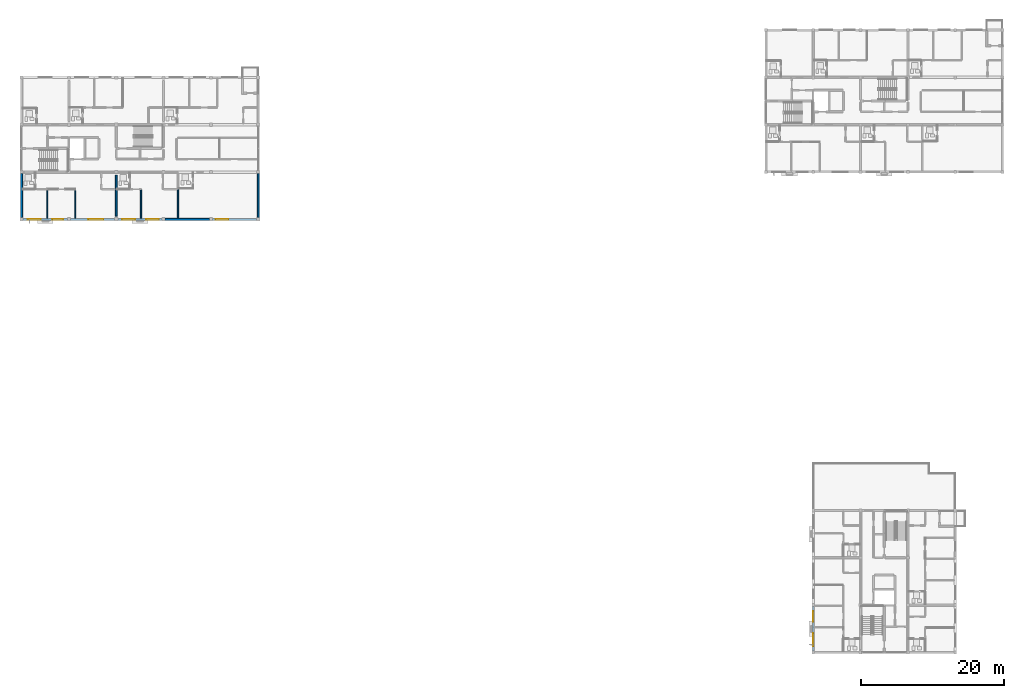
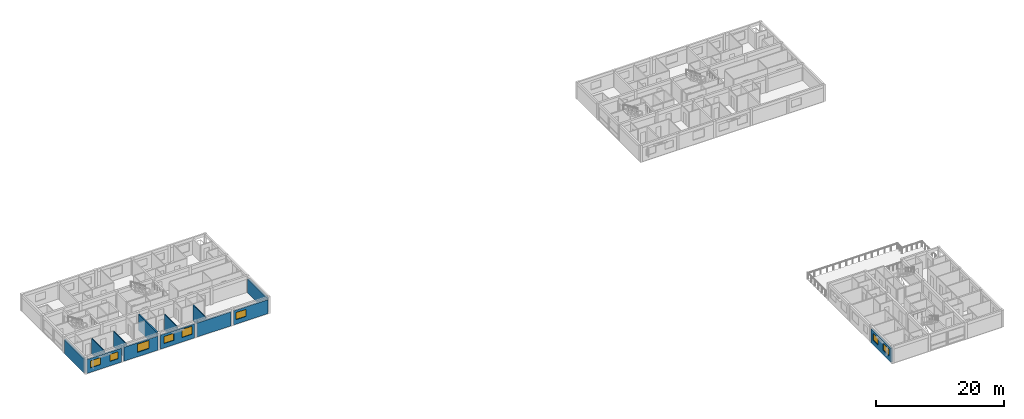
# One storey, part 16 of 37: 13 walls, 8 windows, 8 openings.
"""IFC4 building model written with IfcOpenShell, lengths in metres."""

from ifc_helpers import new_model, si_unit, direction, frame, frame_2d, origin, place, context, subcontext, project, spatial, rectangle, extrude, material, layer, layer_set, type_object, element, fill, save


model = new_model("IFC4")

# Units and contexts
model_context = context("Model", 3, precision=1e-05, world=origin(), true_north=direction((0.0, 1.0)))
body_context = subcontext(model_context, "Body", "Model", "MODEL_VIEW")
ifc_project = project(units=[si_unit("LENGTHUNIT", "METRE"), si_unit("AREAUNIT", "SQUARE_METRE"), si_unit("VOLUMEUNIT", "CUBIC_METRE"), si_unit("PLANEANGLEUNIT", "RADIAN"), si_unit("MASSUNIT", "GRAM", prefix="KILO")], contexts=[model_context])

# Site, building, storey
site_placement = place(None, origin())
site = spatial("IfcSite", under=ifc_project, at=site_placement, CompositionType="ELEMENT")
building_placement = place(site_placement, origin())
building = spatial("IfcBuilding", under=site, at=building_placement, Name="Kernevlak Ridge Housing Community", CompositionType="ELEMENT")
storey_placement = place(building_placement, frame((0.0, 0.0, 37.199951171875)))
storey = spatial("IfcBuildingStorey", under=building, at=storey_placement, Name="L11", CompositionType="ELEMENT", Elevation=37.199951171875)

# Wall, openings, windows
ifc_material_1 = material(Name="Concrete block masonry M10", Category="masonry")
ifc_layer_1 = layer(ifc_material_1, 0.260009765625, Name="Concrete block masonry M10")
ifc_layer_set_1 = layer_set([ifc_layer_1], Name="Concrete block masonry M10")
wall_type_1 = type_object("IfcWallType", Name="EW-05", PredefinedType="STANDARD", material=ifc_layer_set_1)
wall_1_placement = place(storey_placement, frame((15.824951171875, 76.0, 0.0), z_axis=(0.0, 0.0, 1.0), x_axis=(1.0, 0.0, 0.0)))
wall_1 = element("IfcWall", 1, at=wall_1_placement, inside=storey, type_object=wall_type_1, Name="Exterior wall EW-05 L11 173", PredefinedType="STANDARD", context=body_context, shape_type="SweptSolid", body=[
    extrude(rectangle(XDim=6.150146484375, YDim=0.260009765625, at=frame_2d((3.0751953125, 0.0))), origin(), (0.0, 0.0, 1.0), 2.650146484375),
])
opening_1_placement = place(wall_1_placement, frame((0.64990234375, 0.0, 0.85009765625)))
opening_1 = element("IfcOpeningElement", 2, at=opening_1_placement, cuts=wall_1, Name="Opening WT-03", PredefinedType="OPENING", context=body_context, shape_type="SweptSolid", body=[
    extrude(rectangle(XDim=1.800048828125, YDim=1.35009765625, at=frame_2d((0.89990234375, 0.675048828125))), frame((0.0, 0.139892578125, 0.0), z_axis=(0.0, -1.0, 0.0), x_axis=(1.0, 0.0, 0.0)), (0.0, 0.0, 1.0), 0.280029296875),
])
opening_2_placement = place(wall_1_placement, frame((4.074951171875, 0.0, 0.85009765625)))
opening_2 = element("IfcOpeningElement", 3, at=opening_2_placement, cuts=wall_1, Name="Opening WT-02", PredefinedType="OPENING", context=body_context, shape_type="SweptSolid", body=[
    extrude(rectangle(XDim=1.5, YDim=1.35009765625, at=frame_2d((0.75, 0.675048828125))), frame((0.0, 0.139892578125, 0.0), z_axis=(0.0, -1.0, 0.0), x_axis=(1.0, 0.0, 0.0)), (0.0, 0.0, 1.0), 0.280029296875),
])
ifc_material_2 = material(Name="Aluminium EN AW-6060 anodised and laminated glass", Category="aluminium")
window_type_1 = type_object("IfcWindowType", Name="WT-02", PartitioningType="SINGLE_PANEL", PredefinedType="WINDOW", material=ifc_material_2)
window_1_placement = place(opening_2_placement, origin())
window_1 = element("IfcWindow", 4, at=window_1_placement, inside=storey, type_object=window_type_1, Name="Window WT-02 L11 136", OverallHeight=1.35009765625, OverallWidth=1.5, PartitioningType="SINGLE_PANEL", PredefinedType="WINDOW", context=body_context, shape_type="SweptSolid", body=[
    extrude(rectangle(XDim=1.5, YDim=1.35009765625, at=frame_2d((0.75, 0.675048828125))), frame((0.0, 0.030029296875, 0.0), z_axis=(0.0, -1.0, 0.0), x_axis=(1.0, 0.0, 0.0)), (0.0, 0.0, 1.0), 0.06005859375),
])
fill(opening_2, window_1)
window_type_2 = type_object("IfcWindowType", Name="WT-03", PartitioningType="SINGLE_PANEL", PredefinedType="WINDOW", material=ifc_material_2)
window_2_placement = place(opening_1_placement, origin())
window_2 = element("IfcWindow", 5, at=window_2_placement, inside=storey, type_object=window_type_2, Name="Window WT-03 L11 135", OverallHeight=1.35009765625, OverallWidth=1.800048828125, PartitioningType="SINGLE_PANEL", PredefinedType="WINDOW", context=body_context, shape_type="SweptSolid", body=[
    extrude(rectangle(XDim=1.800048828125, YDim=1.35009765625, at=frame_2d((0.89990234375, 0.675048828125))), frame((0.0, 0.030029296875, 0.0), z_axis=(0.0, -1.0, 0.0), x_axis=(1.0, 0.0, 0.0)), (0.0, 0.0, 1.0), 0.06005859375),
])
fill(opening_1, window_2)

# Wall, opening, window
wall_2_placement = place(storey_placement, frame((22.425048828125, 76.0, 0.0), z_axis=(0.0, 0.0, 1.0), x_axis=(1.0, 0.0, 0.0)))
wall_2 = element("IfcWall", 6, at=wall_2_placement, inside=storey, type_object=wall_type_1, Name="Exterior wall EW-05 L11 174", PredefinedType="STANDARD", context=body_context, shape_type="SweptSolid", body=[
    extrude(rectangle(XDim=6.14990234375, YDim=0.260009765625, at=frame_2d((3.074951171875, 0.0))), origin(), (0.0, 0.0, 1.0), 2.650146484375),
])
opening_3_placement = place(wall_2_placement, frame((2.470947265625, 0.0, 0.85009765625)))
opening_3 = element("IfcOpeningElement", 7, at=opening_3_placement, cuts=wall_2, Name="Opening WT-05", PredefinedType="OPENING", context=body_context, shape_type="SweptSolid", body=[
    extrude(rectangle(XDim=2.10009765625, YDim=1.550048828125, at=frame_2d((1.050048828125, 0.77490234375))), frame((0.0, 0.139892578125, 0.0), z_axis=(0.0, -1.0, 0.0), x_axis=(1.0, 0.0, 0.0)), (0.0, 0.0, 1.0), 0.280029296875),
])
window_type_3 = type_object("IfcWindowType", Name="WT-05", PartitioningType="SINGLE_PANEL", PredefinedType="WINDOW", material=ifc_material_2)
window_3_placement = place(opening_3_placement, origin())
window_3 = element("IfcWindow", 8, at=window_3_placement, inside=storey, type_object=window_type_3, Name="Window WT-05 L11 137", OverallHeight=1.550048828125, OverallWidth=2.10009765625, PartitioningType="SINGLE_PANEL", PredefinedType="WINDOW", context=body_context, shape_type="SweptSolid", body=[
    extrude(rectangle(XDim=2.10009765625, YDim=1.550048828125, at=frame_2d((1.050048828125, 0.77490234375))), frame((0.0, 0.030029296875, 0.0), z_axis=(0.0, -1.0, 0.0), x_axis=(1.0, 0.0, 0.0)), (0.0, 0.0, 1.0), 0.06005859375),
])
fill(opening_3, window_3)

# Wall, openings, windows
wall_3_placement = place(storey_placement, frame((29.02490234375, 76.0, 0.0), z_axis=(0.0, 0.0, 1.0), x_axis=(1.0, 0.0, 0.0)))
wall_3 = element("IfcWall", 9, at=wall_3_placement, inside=storey, type_object=wall_type_1, Name="Exterior wall EW-05 L11 175", PredefinedType="STANDARD", context=body_context, shape_type="SweptSolid", body=[
    extrude(rectangle(XDim=6.150146484375, YDim=0.260009765625, at=frame_2d((3.0751953125, 0.0))), origin(), (0.0, 0.0, 1.0), 2.650146484375),
])
opening_4_placement = place(wall_3_placement, frame((0.60009765625, 0.0, 0.85009765625)))
opening_4 = element("IfcOpeningElement", 10, at=opening_4_placement, cuts=wall_3, Name="Opening WT-03", PredefinedType="OPENING", context=body_context, shape_type="SweptSolid", body=[
    extrude(rectangle(XDim=1.800048828125, YDim=1.35009765625, at=frame_2d((0.89990234375, 0.675048828125))), frame((0.0, 0.139892578125, 0.0), z_axis=(0.0, -1.0, 0.0), x_axis=(1.0, 0.0, 0.0)), (0.0, 0.0, 1.0), 0.280029296875),
])
opening_5_placement = place(wall_3_placement, frame((3.925048828125, 0.0, 0.85009765625)))
opening_5 = element("IfcOpeningElement", 11, at=opening_5_placement, cuts=wall_3, Name="Opening WT-04", PredefinedType="OPENING", context=body_context, shape_type="SweptSolid", body=[
    extrude(rectangle(XDim=1.800048828125, YDim=1.550048828125, at=frame_2d((0.89990234375, 0.77490234375))), frame((0.0, 0.139892578125, 0.0), z_axis=(0.0, -1.0, 0.0), x_axis=(1.0, 0.0, 0.0)), (0.0, 0.0, 1.0), 0.280029296875),
])
window_4_placement = place(opening_4_placement, origin())
window_4 = element("IfcWindow", 12, at=window_4_placement, inside=storey, type_object=window_type_2, Name="Window WT-03 L11 138", OverallHeight=1.35009765625, OverallWidth=1.800048828125, PartitioningType="SINGLE_PANEL", PredefinedType="WINDOW", context=body_context, shape_type="SweptSolid", body=[
    extrude(rectangle(XDim=1.800048828125, YDim=1.35009765625, at=frame_2d((0.89990234375, 0.675048828125))), frame((0.0, 0.030029296875, 0.0), z_axis=(0.0, -1.0, 0.0), x_axis=(1.0, 0.0, 0.0)), (0.0, 0.0, 1.0), 0.06005859375),
])
fill(opening_4, window_4)
window_type_4 = type_object("IfcWindowType", Name="WT-04", PartitioningType="SINGLE_PANEL", PredefinedType="WINDOW", material=ifc_material_2)
window_5_placement = place(opening_5_placement, origin())
window_5 = element("IfcWindow", 13, at=window_5_placement, inside=storey, type_object=window_type_4, Name="Window WT-04 L11 139", OverallHeight=1.550048828125, OverallWidth=1.800048828125, PartitioningType="SINGLE_PANEL", PredefinedType="WINDOW", context=body_context, shape_type="SweptSolid", body=[
    extrude(rectangle(XDim=1.800048828125, YDim=1.550048828125, at=frame_2d((0.89990234375, 0.77490234375))), frame((0.0, 0.030029296875, 0.0), z_axis=(0.0, -1.0, 0.0), x_axis=(1.0, 0.0, 0.0)), (0.0, 0.0, 1.0), 0.06005859375),
])
fill(opening_5, window_5)

# Wall
wall_4_placement = place(storey_placement, frame((35.625, 76.0, 0.0), z_axis=(0.0, 0.0, 1.0), x_axis=(1.0, 0.0, 0.0)))
element("IfcWall", 14, at=wall_4_placement, inside=storey, type_object=wall_type_1, Name="Exterior wall EW-05 L11 176", PredefinedType="STANDARD", context=body_context, shape_type="SweptSolid", body=[
    extrude(rectangle(XDim=6.14990234375, YDim=0.260009765625, at=frame_2d((3.074951171875, 0.0))), origin(), (0.0, 0.0, 1.0), 2.650146484375),
])

# Wall, opening, window
wall_5_placement = place(storey_placement, frame((42.22509765625, 76.0, 0.0), z_axis=(0.0, 0.0, 1.0), x_axis=(1.0, 0.0, 0.0)))
wall_5 = element("IfcWall", 15, at=wall_5_placement, inside=storey, type_object=wall_type_1, Name="Exterior wall EW-05 L11 177", PredefinedType="STANDARD", context=body_context, shape_type="SweptSolid", body=[
    extrude(rectangle(XDim=6.14990234375, YDim=0.260009765625, at=frame_2d((3.074951171875, 0.0))), origin(), (0.0, 0.0, 1.0), 2.650146484375),
])
opening_6_placement = place(wall_5_placement, frame((0.425048828125, 0.0, 0.85009765625)))
opening_6 = element("IfcOpeningElement", 16, at=opening_6_placement, cuts=wall_5, Name="Opening WT-03", PredefinedType="OPENING", context=body_context, shape_type="SweptSolid", body=[
    extrude(rectangle(XDim=1.800048828125, YDim=1.35009765625, at=frame_2d((0.89990234375, 0.675048828125))), frame((0.0, 0.139892578125, 0.0), z_axis=(0.0, -1.0, 0.0), x_axis=(1.0, 0.0, 0.0)), (0.0, 0.0, 1.0), 0.280029296875),
])
window_6_placement = place(opening_6_placement, origin())
window_6 = element("IfcWindow", 17, at=window_6_placement, inside=storey, type_object=window_type_2, Name="Window WT-03 L11 140", OverallHeight=1.35009765625, OverallWidth=1.800048828125, PartitioningType="SINGLE_PANEL", PredefinedType="WINDOW", context=body_context, shape_type="SweptSolid", body=[
    extrude(rectangle(XDim=1.800048828125, YDim=1.35009765625, at=frame_2d((0.89990234375, 0.675048828125))), frame((0.0, 0.030029296875, 0.0), z_axis=(0.0, -1.0, 0.0), x_axis=(1.0, 0.0, 0.0)), (0.0, 0.0, 1.0), 0.06005859375),
])
fill(opening_6, window_6)

# Walls
for number, where, z_axis, x_axis, name in (
    (18, (15.60009765625, 76.22509765625, 0.0), (0.0, 0.0, 1.0), (0.0, 1.0, 0.0), "Exterior wall EW-05 L11 185"),
    (19, (48.60009765625, 76.22509765625, 0.0), (0.0, 0.0, 1.0), (0.0, 1.0, 0.0), "Exterior wall EW-05 L11 187"),
):
    element("IfcWall", number, at=place(storey_placement, frame(where, z_axis=z_axis, x_axis=x_axis)), inside=storey, type_object=wall_type_1, Name=name, PredefinedType="STANDARD", context=body_context, shape_type="SweptSolid", body=[
        extrude(rectangle(XDim=6.14990234375, YDim=0.260009765625, at=frame_2d((3.074951171875, 0.0))), origin(), (0.0, 0.0, 1.0), 2.650146484375),
    ])

# Wall, openings, windows
wall_6_placement = place(storey_placement, frame((126.0, 15.800048828125, 0.0), z_axis=(0.0, 0.0, 1.0), x_axis=(0.0, 1.0, 0.0)))
wall_6 = element("IfcWall", 20, at=wall_6_placement, inside=storey, type_object=wall_type_1, Name="Exterior wall EW-05 L11 684", PredefinedType="STANDARD", context=body_context, shape_type="SweptSolid", body=[
    extrude(rectangle(XDim=6.199951171875, YDim=0.260009765625, at=frame_2d((3.10009765625, 0.0))), origin(), (0.0, 0.0, 1.0), 2.650146484375),
])
opening_7_placement = place(wall_6_placement, frame((0.64990234375, 0.0, 0.85009765625)))
opening_7 = element("IfcOpeningElement", 21, at=opening_7_placement, cuts=wall_6, Name="Opening WT-03", PredefinedType="OPENING", context=body_context, shape_type="SweptSolid", body=[
    extrude(rectangle(XDim=1.800048828125, YDim=1.35009765625, at=frame_2d((0.89990234375, 0.675048828125))), frame((0.0, 0.139892578125, 0.0), z_axis=(0.0, -1.0, 0.0), x_axis=(1.0, 0.0, 0.0)), (0.0, 0.0, 1.0), 0.280029296875),
])
opening_8_placement = place(wall_6_placement, frame((4.050048828125, 0.0, 0.85009765625)))
opening_8 = element("IfcOpeningElement", 22, at=opening_8_placement, cuts=wall_6, Name="Opening WT-02", PredefinedType="OPENING", context=body_context, shape_type="SweptSolid", body=[
    extrude(rectangle(XDim=1.5, YDim=1.35009765625, at=frame_2d((0.75, 0.675048828125))), frame((0.0, 0.139892578125, 0.0), z_axis=(0.0, -1.0, 0.0), x_axis=(1.0, 0.0, 0.0)), (0.0, 0.0, 1.0), 0.280029296875),
])
window_7_placement = place(opening_8_placement, origin())
window_7 = element("IfcWindow", 23, at=window_7_placement, inside=storey, type_object=window_type_1, Name="Window WT-02 L11 557", OverallHeight=1.35009765625, OverallWidth=1.5, PartitioningType="SINGLE_PANEL", PredefinedType="WINDOW", context=body_context, shape_type="SweptSolid", body=[
    extrude(rectangle(XDim=1.5, YDim=1.35009765625, at=frame_2d((0.75, 0.675048828125))), frame((0.0, 0.030029296875, 0.0), z_axis=(0.0, -1.0, 0.0), x_axis=(1.0, 0.0, 0.0)), (0.0, 0.0, 1.0), 0.06005859375),
])
fill(opening_8, window_7)
window_8_placement = place(opening_7_placement, origin())
window_8 = element("IfcWindow", 24, at=window_8_placement, inside=storey, type_object=window_type_2, Name="Window WT-03 L11 556", OverallHeight=1.35009765625, OverallWidth=1.800048828125, PartitioningType="SINGLE_PANEL", PredefinedType="WINDOW", context=body_context, shape_type="SweptSolid", body=[
    extrude(rectangle(XDim=1.800048828125, YDim=1.35009765625, at=frame_2d((0.89990234375, 0.675048828125))), frame((0.0, 0.030029296875, 0.0), z_axis=(0.0, -1.0, 0.0), x_axis=(1.0, 0.0, 0.0)), (0.0, 0.0, 1.0), 0.06005859375),
])
fill(opening_7, window_8)

# Walls
ifc_layer_2 = layer(ifc_material_1, 0.175048828125, Name="Concrete block masonry M10")
ifc_layer_set_2 = layer_set([ifc_layer_2], Name="Concrete block masonry M10")
wall_type_2 = type_object("IfcWallType", Name="PW-02", PredefinedType="PARTITIONING", material=ifc_layer_set_2)
wall_7_placement = place(storey_placement, frame((37.39990234375, 80.112548828125, 0.0), z_axis=(0.0, 0.0, 1.0), x_axis=(0.0, -1.0, 0.0)))
element("IfcWall", 25, at=wall_7_placement, inside=storey, type_object=wall_type_2, Name="Interior wall PW-02 WAL-INT-L11-0730-S2", PredefinedType="PARTITIONING", context=body_context, shape_type="SweptSolid", body=[
    extrude(rectangle(XDim=3.882568359375, YDim=0.175048828125, at=frame_2d((1.94140625, 0.0))), origin(), (0.0, 0.0, 1.0), 2.969970703125),
])
ifc_layer_3 = layer(ifc_material_1, 0.14501953125, Name="Concrete block masonry M10")
ifc_layer_set_3 = layer_set([ifc_layer_3], Name="Concrete block masonry M10")
wall_type_3 = type_object("IfcWallType", Name="PW-03", PredefinedType="PARTITIONING", material=ifc_layer_set_3)
wall_8_placement = place(storey_placement, frame((19.14990234375, 80.117431640625, 0.0), z_axis=(0.0, 0.0, 1.0), x_axis=(0.0, -1.0, 0.0)))
element("IfcWall", 26, at=wall_8_placement, inside=storey, type_object=wall_type_3, Name="Interior wall PW-03 WAL-INT-L11-0720", PredefinedType="PARTITIONING", context=body_context, shape_type="SweptSolid", body=[
    extrude(rectangle(XDim=3.9775390625, YDim=0.14501953125, at=frame_2d((1.98876953125, 0.0))), origin(), (0.0, 0.0, 1.0), 2.969970703125),
])
wall_9_placement = place(storey_placement, frame((23.092041015625, 80.1201171875, 0.0), z_axis=(0.0, 0.0, 1.0), x_axis=(0.0, -1.0, 0.0)))
element("IfcWall", 27, at=wall_9_placement, inside=storey, type_object=wall_type_3, Name="Interior wall PW-03 WAL-INT-L11-0722", PredefinedType="PARTITIONING", context=body_context, shape_type="SweptSolid", body=[
    extrude(rectangle(XDim=3.980224609375, YDim=0.14501953125, at=frame_2d((1.990234375, 0.0))), origin(), (0.0, 0.0, 1.0), 2.969970703125),
])
wall_10_placement = place(storey_placement, frame((32.25, 80.117431640625, 0.0), z_axis=(0.0, 0.0, 1.0), x_axis=(0.0, -1.0, 0.0)))
element("IfcWall", 28, at=wall_10_placement, inside=storey, type_object=wall_type_3, Name="Interior wall PW-03 WAL-INT-L11-0729", PredefinedType="PARTITIONING", context=body_context, shape_type="SweptSolid", body=[
    extrude(rectangle(XDim=3.9775390625, YDim=0.14501953125, at=frame_2d((1.98876953125, 0.0))), origin(), (0.0, 0.0, 1.0), 2.969970703125),
])
ifc_material_3 = material(Name="Concrete C40/50", Category="concrete")
ifc_layer_4 = layer(ifc_material_3, 0.25, Name="Concrete C40/50")
ifc_layer_set_4 = layer_set([ifc_layer_4], Name="Concrete C40/50")
wall_type_4 = type_object("IfcWallType", Name="SW-03", PredefinedType="SHEAR", material=ifc_layer_set_4)
wall_11_placement = place(storey_placement, frame((28.800048828125, 76.449951171875, 0.0), z_axis=(0.0, 0.0, 1.0), x_axis=(0.0, 1.0, 0.0)))
element("IfcWall", 29, at=wall_11_placement, inside=storey, type_object=wall_type_4, Name="Shear wall SW-03 Block A L11 128", PredefinedType="SHEAR", context=body_context, shape_type="SweptSolid", body=[
    extrude(rectangle(XDim=5.699951171875, YDim=0.25, at=frame_2d((2.85009765625, 0.0))), origin(), (0.0, 0.0, 1.0), 2.969970703125),
])

save(model, "model.ifc")
